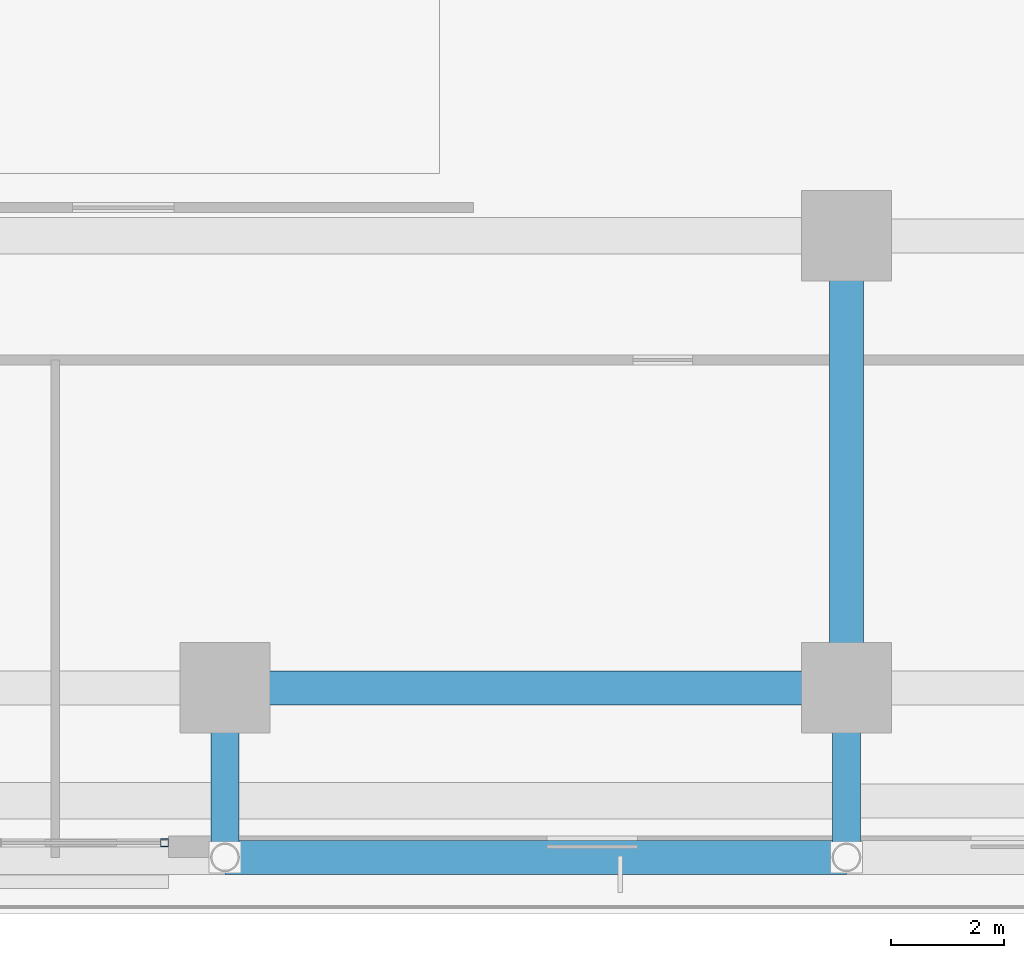
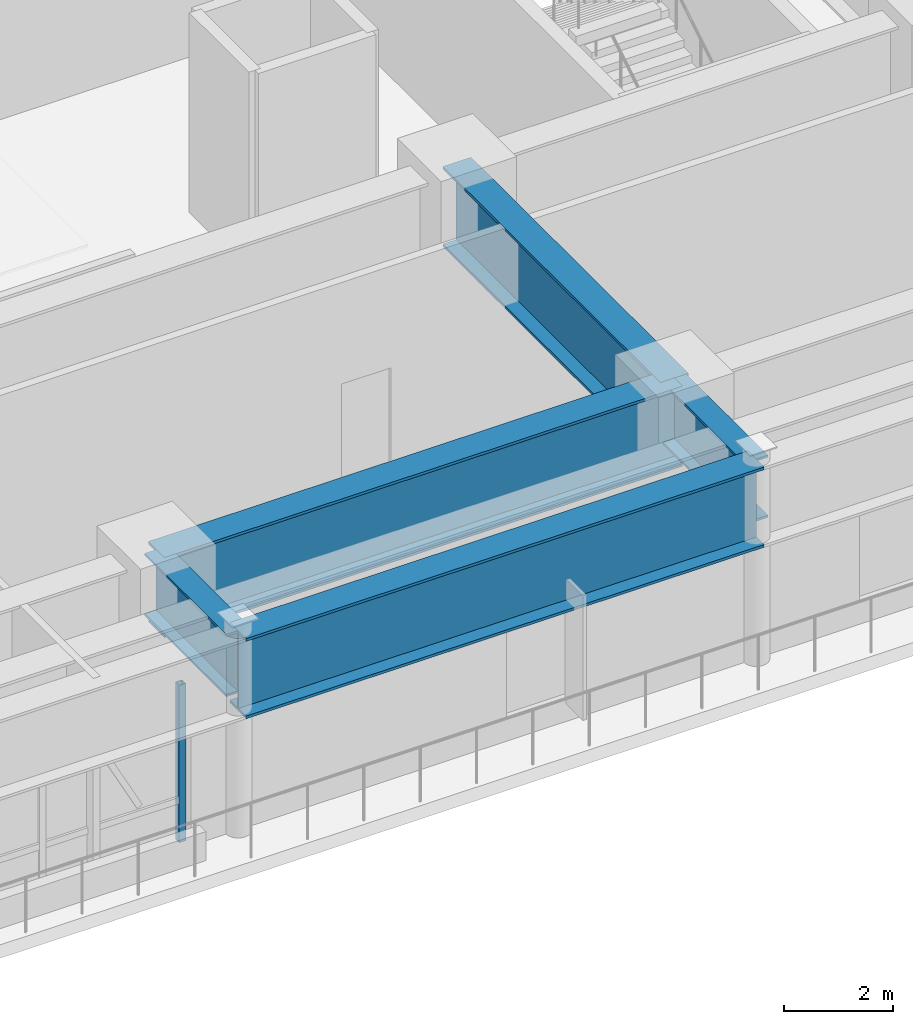
# One storey, part 16 of 38: 5 beams, 1 member, 1 element without a shape of its own.
"""IFC4 building model written with IfcOpenShell, lengths in metres."""

from ifc_helpers import new_model, si_unit, direction, frame, origin, origin_2d, place, context, subcontext, project, spatial, hollow_rectangle, i_section, extrude, source, transform, mapped, material, material_profile, profile_set, type_object, element, aggregate, save


model = new_model("IFC4")

# Units and contexts
model_context = context("Model", 3, precision=1e-05, world=origin(), true_north=direction((0.0, 1.0)))
body_context = subcontext(model_context, "Body", "Model", "MODEL_VIEW")
ifc_project = project(units=[si_unit("LENGTHUNIT", "METRE"), si_unit("AREAUNIT", "SQUARE_METRE"), si_unit("VOLUMEUNIT", "CUBIC_METRE"), si_unit("PLANEANGLEUNIT", "RADIAN"), si_unit("MASSUNIT", "GRAM", prefix="KILO")], contexts=[model_context])

# Site, building, storey
site_placement = place(None, origin())
site = spatial("IfcSite", under=ifc_project, at=site_placement, CompositionType="ELEMENT")
building_placement = place(site_placement, origin())
building = spatial("IfcBuilding", under=site, at=building_placement, Name="Khorayat Bourse Tower", CompositionType="ELEMENT")
storey_placement = place(building_placement, frame((0.0, 0.0, 17.39990234375)))
storey = spatial("IfcBuildingStorey", under=building, at=storey_placement, Name="L03", CompositionType="ELEMENT", Elevation=17.39990234375)

# Beams
ifc_material_1 = material(Name="Steel EN 10025-4 S460M", Category="steel")
ifc_material_profile_1 = material_profile(ifc_material_1, i_section(OverallWidth=0.60009765625, OverallDepth=1.800048828125, WebThickness=0.031982421875, FlangeThickness=0.06005859375, at=origin_2d()), Name="PG 1800x600x32x60")
ifc_profile_set_1 = profile_set([ifc_material_profile_1], Name="Steel EN 10025-4 S460M")
beam_type_1 = type_object("IfcBeamType", Name="BM-TR-1800", PredefinedType="BEAM", material=ifc_profile_set_1)
shared_shape_1 = source(origin(), body_context, "Body", "SweptSolid", [
    extrude(i_section(OverallWidth=0.60009765625, OverallDepth=1.800048828125, WebThickness=0.031982421875, FlangeThickness=0.06005859375, at=origin_2d()), origin(), (0.0, 0.0, 1.0), 11.0),
])
for number, where, z_axis, x_axis, name in (
    (1, (11.0, -35.0, 3.580078125), (1.0, 0.0, 0.0), (0.0, 1.0, 0.0), "L03 BM-TR-1800 BM-L03-PGX-028"),
    (2, (11.0, -32.0, 3.580078125), (1.0, 0.0, 0.0), (0.0, 1.0, 0.0), "L03 BM-TR-1800 BM-L03-PGX-041"),
):
    element("IfcBeam", number, at=place(storey_placement, frame(where, z_axis=z_axis, x_axis=x_axis)), inside=storey, type_object=beam_type_1, Name=name, PredefinedType="BEAM", context=body_context, shape_type="MappedRepresentation", body=[
        mapped(shared_shape_1, transform((0.0, 0.0, 0.0), scale=1.0)),
    ])
shared_shape_2 = source(origin(), body_context, "Body", "SweptSolid", [
    extrude(i_section(OverallWidth=0.60009765625, OverallDepth=1.800048828125, WebThickness=0.031982421875, FlangeThickness=0.06005859375, at=origin_2d()), origin(), (0.0, 0.0, 1.0), 8.0),
])
beam_placement = place(storey_placement, frame((22.0, -32.0, 3.580078125), z_axis=(0.0, 1.0, 0.0), x_axis=(-1.0, 0.0, 0.0)))
element("IfcBeam", 3, at=beam_placement, inside=storey, type_object=beam_type_1, Name="L03 BM-TR-1800 BM-L03-PGY-138", PredefinedType="BEAM", context=body_context, shape_type="MappedRepresentation", body=[
    mapped(shared_shape_2, transform((0.0, 0.0, 0.0), scale=1.0)),
])
ifc_material_profile_2 = material_profile(ifc_material_1, i_section(OverallWidth=0.5, OverallDepth=1.39990234375, WebThickness=0.02490234375, FlangeThickness=0.050048828125, at=origin_2d()), Name="PG 1400x500x25x50")
ifc_profile_set_2 = profile_set([ifc_material_profile_2], Name="Steel EN 10025-4 S460M")
beam_type_2 = type_object("IfcBeamType", Name="BM-TR-1400", PredefinedType="BEAM", material=ifc_profile_set_2)
shared_shape_3 = source(origin(), body_context, "Body", "SweptSolid", [
    extrude(i_section(OverallWidth=0.5, OverallDepth=1.39990234375, WebThickness=0.02490234375, FlangeThickness=0.050048828125, at=origin_2d()), origin(), (0.0, 0.0, 1.0), 3.0),
])
for number, where, z_axis, x_axis, name in (
    (4, (11.0, -35.0, 3.780029296875), (0.0, 1.0, 0.0), (-1.0, 0.0, 0.0), "L03 BM-TR-1400 BM-L03-PGY-133"),
    (5, (22.0, -35.0, 3.780029296875), (0.0, 1.0, 0.0), (-1.0, 0.0, 0.0), "L03 BM-TR-1400 BM-L03-PGY-137"),
):
    element("IfcBeam", number, at=place(storey_placement, frame(where, z_axis=z_axis, x_axis=x_axis)), inside=storey, type_object=beam_type_2, Name=name, PredefinedType="BEAM", context=body_context, shape_type="MappedRepresentation", body=[
        mapped(shared_shape_3, transform((0.0, 0.0, 0.0), scale=1.0)),
    ])

# Curtain wall, member
ifc_material_2 = material(Name="Aluminium EN AW-6063 T6", Category="aluminium")
curtain_wall_type = type_object("IfcCurtainWallType", Name="CW-SYS-01", PredefinedType="NOTDEFINED", material=ifc_material_2)
curtain_wall_placement = place(storey_placement, origin())
curtain_wall = element("IfcCurtainWall", 6, at=curtain_wall_placement, inside=storey, type_object=curtain_wall_type, Name="L03 Curtain Wall CW-L03-SE", PredefinedType="NOTDEFINED")
ifc_material_profile_3 = material_profile(ifc_material_2, hollow_rectangle(XDim=0.139892578125, YDim=0.139892578125, WallThickness=0.006103515625, at=origin_2d()), Name="ALU 140x140x6")
ifc_profile_set_3 = profile_set([ifc_material_profile_3], Name="Aluminium EN AW-6063 T6")
member_type = type_object("IfcMemberType", Name="CWM-VERT-140", PredefinedType="MULLION", material=ifc_profile_set_3)
shared_shape_4 = source(origin(), body_context, "Body", "SweptSolid", [
    extrude(hollow_rectangle(XDim=0.139892578125, YDim=0.139892578125, WallThickness=0.006103515625, at=origin_2d()), origin(), (0.0, 0.0, 1.0), 3.530029296875),
])
member_placement = place(storey_placement, frame((9.929931640625, -34.742919921875, 0.0), z_axis=(0.0, 0.0, 1.0), x_axis=(0.0, 1.0, 0.0)))
member = element("IfcMember", 7, at=member_placement, type_object=member_type, Name="CW-L03-SE Vertical Mullion 4", PredefinedType="MULLION", context=body_context, shape_type="MappedRepresentation", body=[
    mapped(shared_shape_4, transform((0.0, 0.0, 0.0), scale=1.0)),
])
aggregate(curtain_wall, [member])

save(model, "model.ifc")
